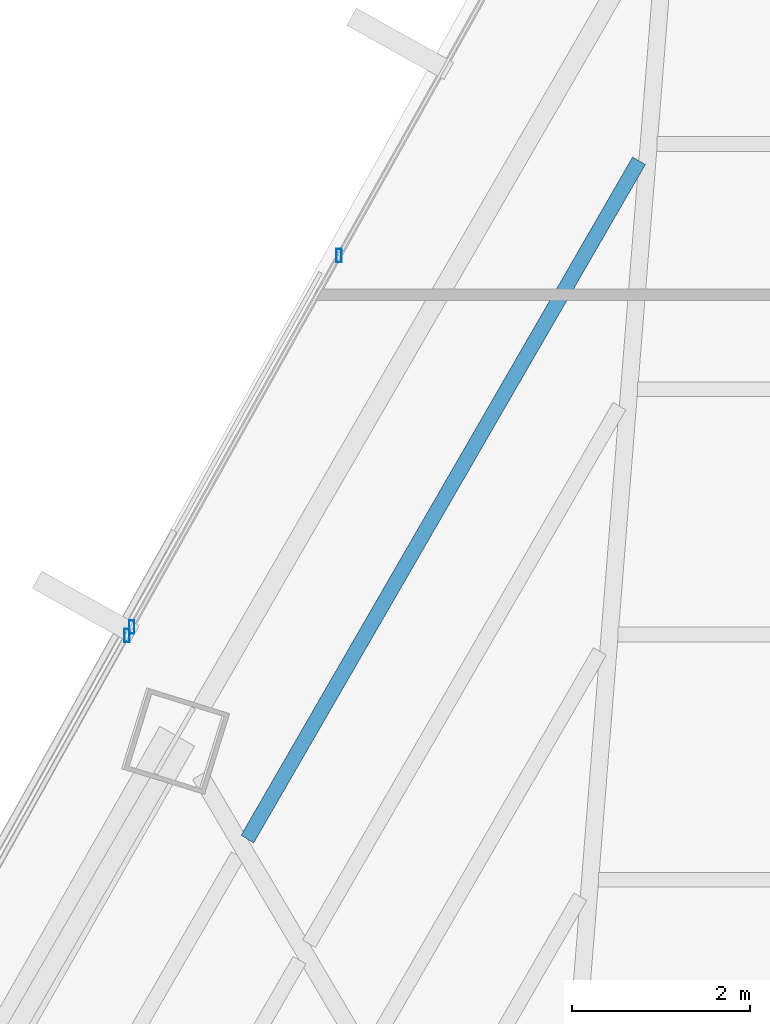
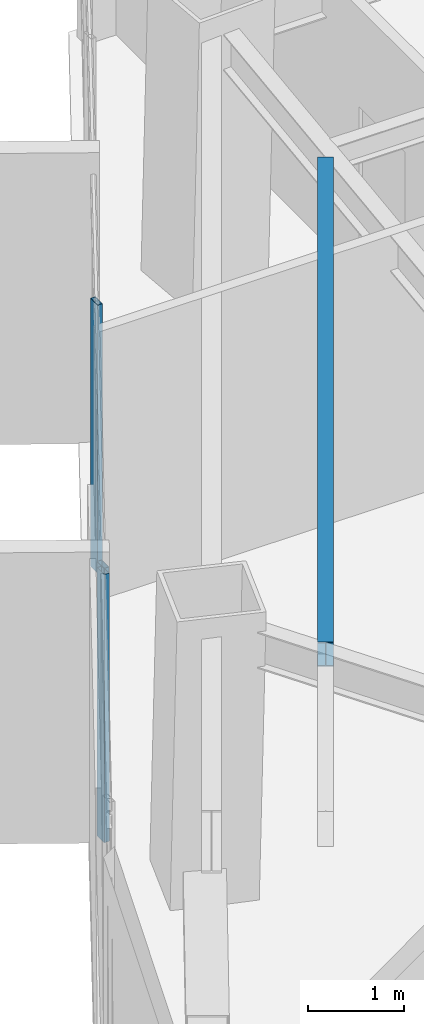
# One storey, part 26 of 38: 3 members, 1 beam, 2 elements without a shape of their own.
"""IFC4 building model written with IfcOpenShell, lengths in metres."""

from ifc_helpers import new_model, si_unit, direction, frame, origin, origin_2d, place, context, subcontext, project, spatial, hollow_rectangle, i_section, extrude, source, transform, mapped, material, material_profile, profile_set, type_object, type_shapes, element, aggregate, save


model = new_model("IFC4")

# Units and contexts
model_context = context("Model", 3, precision=1e-05, world=origin(), true_north=direction((0.0, 1.0)))
body_context = subcontext(model_context, "Body", "Model", "MODEL_VIEW")
ifc_project = project(units=[si_unit("LENGTHUNIT", "METRE"), si_unit("AREAUNIT", "SQUARE_METRE"), si_unit("VOLUMEUNIT", "CUBIC_METRE"), si_unit("PLANEANGLEUNIT", "RADIAN"), si_unit("MASSUNIT", "GRAM", prefix="KILO")], contexts=[model_context])

# Site, building, storey
site_placement = place(None, origin())
site = spatial("IfcSite", under=ifc_project, at=site_placement, CompositionType="ELEMENT")
building_placement = place(site_placement, origin())
building = spatial("IfcBuilding", under=site, at=building_placement, Name="Caelisora Broadcast Tower", CompositionType="ELEMENT")
storey_placement = place(building_placement, frame((0.0, 0.0, 154.85009765625)))
storey = spatial("IfcBuildingStorey", under=building, at=storey_placement, Name="L40", CompositionType="ELEMENT", Elevation=154.85009765625)

# Beam
ifc_material_1 = material(Name="Steel Grade 350 (AS/NZS 3679.1)", Category="steel")
ifc_material_profile_1 = material_profile(ifc_material_1, i_section(OverallWidth=0.166015625, OverallDepth=0.30712890625, WebThickness=0.006591796875, FlangeThickness=0.01171875, at=origin_2d()), Name="Steel Grade 350 (AS/NZS 3679.1)")
ifc_profile_set_1 = profile_set([ifc_material_profile_1], Name="Steel Grade 350 (AS/NZS 3679.1)")
beam_type = type_object("IfcBeamType", Name="SB03", PredefinedType="JOIST", material=ifc_profile_set_1)
shared_shape_1 = source(origin(), body_context, "Body", "SweptSolid", [
    extrude(i_section(OverallWidth=0.166015625, OverallDepth=0.30712890625, WebThickness=0.006591796875, FlangeThickness=0.01171875, at=origin_2d()), origin(), (0.0, 0.0, 1.0), 8.782470703125),
])
type_shapes(beam_type, [shared_shape_1])
beam_placement = place(storey_placement, frame((31.486572265625, 43.56201171875, 3.246337890625), z_axis=(-0.500016826456, -0.866015688808, 0.0), x_axis=(0.866015688808, -0.500016826456, 0.0)))
element("IfcBeam", 1, at=beam_placement, inside=storey, type_object=beam_type, Name="L40 beam SB03", PredefinedType="JOIST", context=body_context, shape_type="MappedRepresentation", body=[
    mapped(shared_shape_1, transform((0.0, 0.0, 0.0), scale=1.0)),
])

# Curtain wall, member
ifc_material_2 = material(Name="Unitised Aluminium Insulated Shadow-Box Spandrel Curtain Wall", Category="aluminium")
curtain_wall_type_1 = type_object("IfcCurtainWallType", Name="CW-SP2", PredefinedType="NOTDEFINED", material=ifc_material_2)
curtain_wall_1_placement = place(storey_placement, origin())
curtain_wall_1 = element("IfcCurtainWall", 2, at=curtain_wall_1_placement, inside=storey, type_object=curtain_wall_type_1, Name="L40 curtain wall CW-SP2", PredefinedType="NOTDEFINED")
ifc_material_3 = material(Name="Aluminium 6063-T6 Anodised Terracotta Bronze", Category="aluminium")
ifc_material_profile_2 = material_profile(ifc_material_3, hollow_rectangle(XDim=0.06005859375, YDim=0.14990234375, WallThickness=0.00341796875, at=origin_2d()), Name="Aluminium 6063-T6 Anodised Terracotta Bronze")
ifc_profile_set_2 = profile_set([ifc_material_profile_2], Name="Aluminium 6063-T6 Anodised Terracotta Bronze")
member_type = type_object("IfcMemberType", Name="CWM-03", PredefinedType="MULLION", material=ifc_profile_set_2)
shared_shape_2 = source(origin(), body_context, "Body", "SweptSolid", [
    extrude(hollow_rectangle(XDim=0.06005859375, YDim=0.14990234375, WallThickness=0.00341796875, at=origin_2d()), origin(), (0.0, 0.0, 1.0), 3.39990234375),
])
type_shapes(member_type, [shared_shape_2])
member_1_placement = place(storey_placement, frame((25.744873046875, 38.239013671875, 0.0), z_axis=(0.0, 0.0, 1.0), x_axis=(1.0, 0.0, 0.0)))
member_1 = element("IfcMember", 3, at=member_1_placement, type_object=member_type, Name="L40-CW-B10 mullion #3", PredefinedType="MULLION", context=body_context, shape_type="MappedRepresentation", body=[
    mapped(shared_shape_2, transform((0.0, 0.0, 0.0), scale=1.0)),
])
aggregate(curtain_wall_1, [member_1])

# Curtain wall, members
ifc_material_4 = material(Name="Unitised Aluminium and Low-E Glass Curtain Wall", Category="glass")
curtain_wall_type_2 = type_object("IfcCurtainWallType", Name="CW-Z3", PredefinedType="NOTDEFINED", material=ifc_material_4)
curtain_wall_2_placement = place(storey_placement, origin())
curtain_wall_2 = element("IfcCurtainWall", 4, at=curtain_wall_2_placement, inside=storey, type_object=curtain_wall_type_2, Name="L40 curtain wall CW-Z3", PredefinedType="NOTDEFINED")
member_2_placement = place(storey_placement, frame((25.798583984375, 38.335205078125, 0.0), z_axis=(0.0, 0.0, 1.0), x_axis=(1.0, 0.0, 0.0)))
member_2 = element("IfcMember", 5, at=member_2_placement, type_object=member_type, Name="L40-CW-B11 mullion #0", PredefinedType="MULLION", context=body_context, shape_type="MappedRepresentation", body=[
    mapped(shared_shape_2, transform((0.0, 0.0, 0.0), scale=1.0)),
])
member_3_placement = place(storey_placement, frame((28.1240234375, 42.498779296875, 0.0), z_axis=(0.0, 0.0, 1.0), x_axis=(1.0, 0.0, 0.0)))
member_3 = element("IfcMember", 6, at=member_3_placement, type_object=member_type, Name="L40-CW-B11 mullion #1", PredefinedType="MULLION", context=body_context, shape_type="MappedRepresentation", body=[
    mapped(shared_shape_2, transform((0.0, 0.0, 0.0), scale=1.0)),
])
aggregate(curtain_wall_2, [member_2, member_3])

save(model, "model.ifc")
